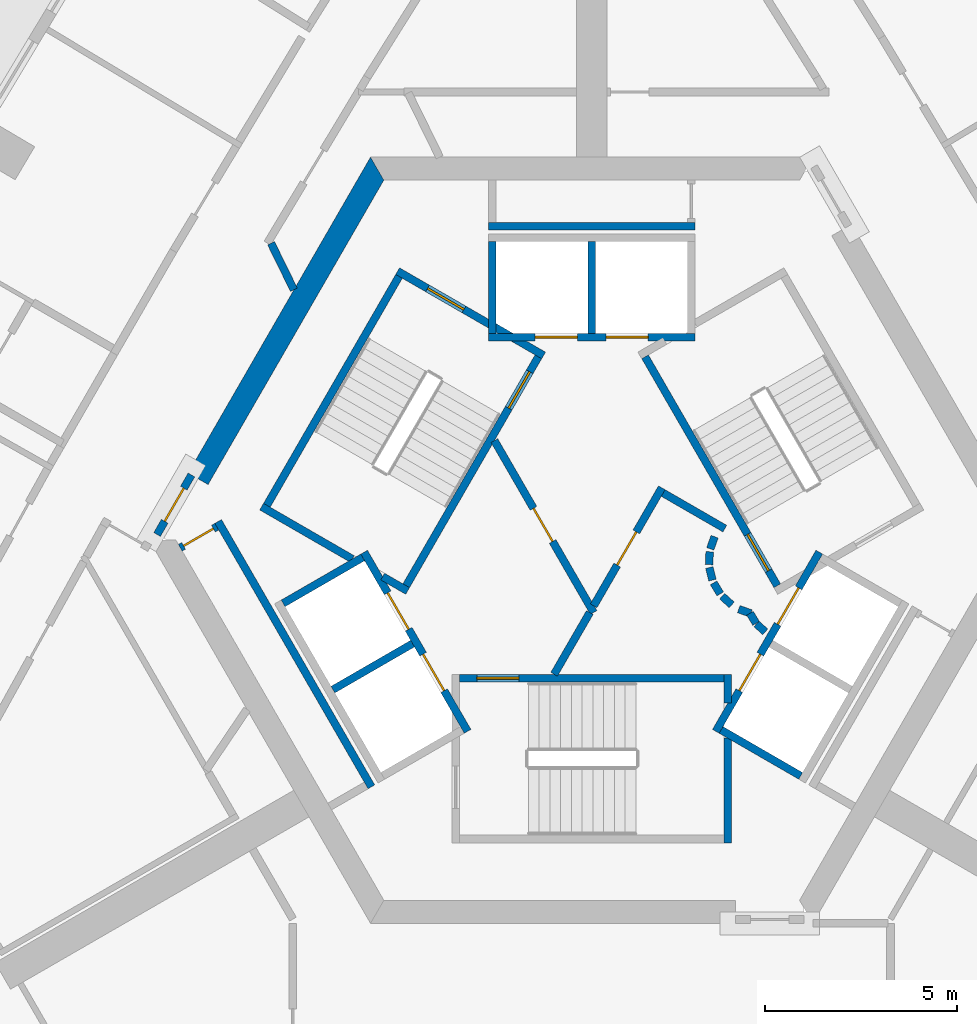
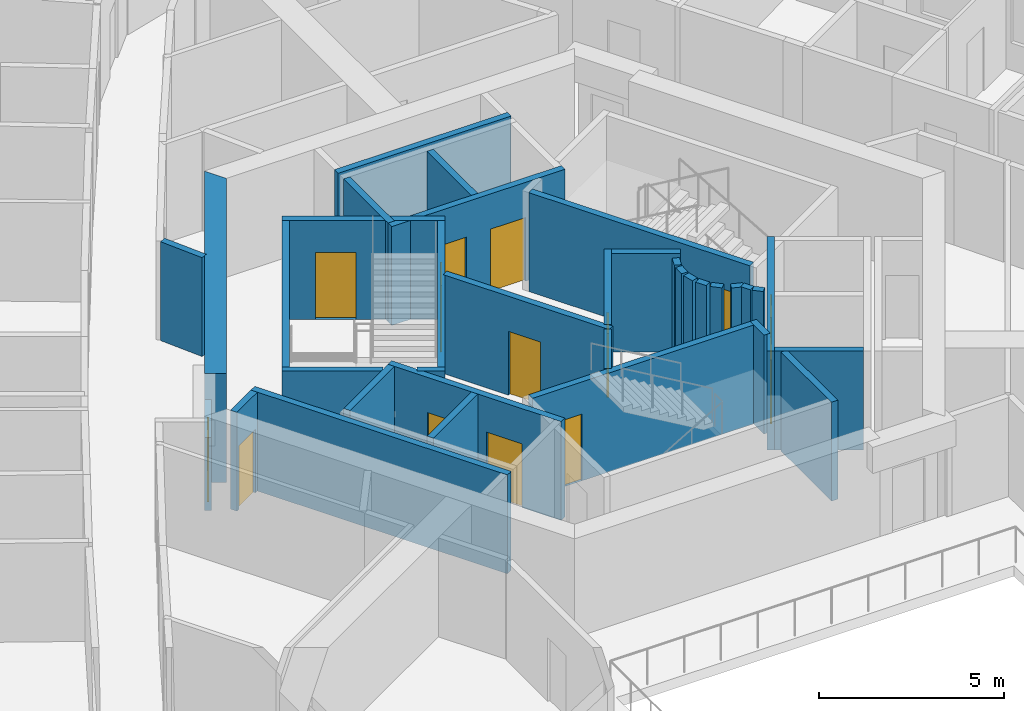
# One storey, part 5 of 13: 35 walls, 14 doors, 14 openings.
"""IFC4 building model written with IfcOpenShell, lengths in metres."""

from ifc_helpers import new_model, si_unit, direction, frame, frame_2d, origin, place, context, subcontext, project, spatial, polyline, rectangle, outline, extrude, material, layer, layer_set, type_object, element, fill, save


model = new_model("IFC4")

# Units and contexts
model_context = context("Model", 3, precision=1e-05, world=origin(), true_north=direction((0.0, 1.0)))
body_context = subcontext(model_context, "Body", "Model", "MODEL_VIEW")
ifc_project = project(units=[si_unit("LENGTHUNIT", "METRE"), si_unit("AREAUNIT", "SQUARE_METRE"), si_unit("VOLUMEUNIT", "CUBIC_METRE"), si_unit("PLANEANGLEUNIT", "RADIAN"), si_unit("MASSUNIT", "GRAM", prefix="KILO")], contexts=[model_context])

# Site, building, storey
site_placement = place(None, origin())
site = spatial("IfcSite", under=ifc_project, at=site_placement, CompositionType="ELEMENT")
building_placement = place(site_placement, origin())
building = spatial("IfcBuilding", under=site, at=building_placement, Name="Entoto Arch Interchange Tower", CompositionType="ELEMENT")
storey_placement = place(building_placement, frame((0.0, 0.0, 266.60009765625)))
storey = spatial("IfcBuildingStorey", under=building, at=storey_placement, Name="L61", CompositionType="ELEMENT", Elevation=266.60009765625)

# Wall, opening, door
ifc_material_1 = material(Name="Reinforced concrete C40/50", Category="concrete")
ifc_layer_1 = layer(ifc_material_1, 0.199951171875)
ifc_layer_set_1 = layer_set([ifc_layer_1], Name="Reinforced concrete C40/50")
wall_type_1 = type_object("IfcWallType", Name="CORE GAP INFILL WALL", PredefinedType="PARTITIONING", material=ifc_layer_set_1)
wall_1_placement = place(storey_placement, frame((-10.448974609375, 4.202880859375, 0.0), z_axis=(0.0, 0.0, 1.0), x_axis=(-0.499914839587, -0.866074565589, 0.0)))
wall_1 = element("IfcWall", 1, at=wall_1_placement, inside=storey, type_object=wall_type_1, Name="wall:L61:gap3", PredefinedType="PARTITIONING", context=body_context, shape_type="SweptSolid", body=[
    extrude(rectangle(XDim=1.794189453125, YDim=0.199951171875, at=frame_2d((0.89697265625, 0.0))), origin(), (0.0, 0.0, 1.0), 2.39990234375),
])
opening_1_placement = place(wall_1_placement, frame((0.39697265625, 0.0, 0.0)))
opening_1 = element("IfcOpeningElement", 2, at=opening_1_placement, cuts=wall_1, Name="Opening L61-D93", PredefinedType="OPENING", context=body_context, shape_type="SweptSolid", body=[
    extrude(rectangle(XDim=1.0, YDim=2.10009765625, at=frame_2d((0.5, 1.050048828125))), frame((0.0, 0.10986328125, 0.0), z_axis=(0.0, -1.0, 0.0), x_axis=(1.0, 0.0, 0.0)), (0.0, 0.0, 1.0), 0.219970703125),
])
ifc_material_2 = material(Name="Fire-rated Steel S235 door and frame", Category="steel")
door_type_1 = type_object("IfcDoorType", Name="DOOR FD-10 1000x2100", OperationType="SINGLE_SWING_LEFT", PredefinedType="DOOR", material=ifc_material_2)
door_1_placement = place(opening_1_placement, origin())
door_1 = element("IfcDoor", 3, at=door_1_placement, inside=storey, type_object=door_type_1, Name="door:L61:gap3", OperationType="SINGLE_SWING_LEFT", OverallHeight=2.10009765625, OverallWidth=1.0, PredefinedType="DOOR", context=body_context, shape_type="SweptSolid", body=[
    extrude(rectangle(XDim=1.0, YDim=2.10009765625, at=frame_2d((0.5, 1.050048828125))), frame((0.0, 0.02490234375, 0.0), z_axis=(0.0, -1.0, 0.0), x_axis=(1.0, 0.0, 0.0)), (0.0, 0.0, 1.0), 0.050048828125),
])
fill(opening_1, door_1)

# Wall
ifc_material_3 = material(Name="Concrete C40/50", Category="concrete")
ifc_layer_2 = layer(ifc_material_3, 0.60009765625)
ifc_layer_set_2 = layer_set([ifc_layer_2], Name="Concrete C40/50")
wall_type_2 = type_object("IfcWallType", Name="Core wall 600 C40/50", PredefinedType="SHEAR", material=ifc_layer_set_2)
wall_2_placement = place(storey_placement, frame((0.0, 0.0, -0.340087890625)))
element("IfcWall", 4, at=wall_2_placement, inside=storey, type_object=wall_type_2, Name="Core wall NW L61", PredefinedType="SHEAR", context=body_context, shape_type="SweptSolid", body=[
    extrude(outline(polyline([(-10.534912109375, 4.2529296875), (-10.014892578125, 3.952880859375), (-5.427001953125, 11.89990234375), (-5.77392578125, 12.5), (-10.534912109375, 4.2529296875)])), origin(), (0.0, 0.0, 1.0), 3.60009765625),
])

# Wall, openings, doors
ifc_layer_3 = layer(ifc_material_3, 0.199951171875)
ifc_layer_set_3 = layer_set([ifc_layer_3], Name="Concrete C40/50")
wall_type_3 = type_object("IfcWallType", Name="LIFT SHAFT WALL 200", PredefinedType="STANDARD", material=ifc_layer_set_3)
wall_3_placement = place(storey_placement, frame((2.699951171875, 7.800048828125, 0.0), z_axis=(0.0, 0.0, 1.0), x_axis=(-1.0, 0.0, 0.0)))
wall_3 = element("IfcWall", 5, at=wall_3_placement, inside=storey, type_object=wall_type_3, Name="Shaft wall N1 front", PredefinedType="STANDARD", context=body_context, shape_type="SweptSolid", body=[
    extrude(rectangle(XDim=5.39990234375, YDim=0.199951171875, at=frame_2d((2.699951171875, 0.0))), origin(), (0.0, 0.0, 1.0), 3.260009765625),
])
opening_2_placement = place(wall_3_placement, frame((1.22509765625, 0.0, 0.0)))
opening_2 = element("IfcOpeningElement", 6, at=opening_2_placement, cuts=wall_3, Name="Opening LD-HR1-L61", PredefinedType="OPENING", context=body_context, shape_type="SweptSolid", body=[
    extrude(rectangle(XDim=1.10009765625, YDim=2.10009765625, at=frame_2d((0.550048828125, 1.050048828125))), frame((0.0, 0.10986328125, 0.0), z_axis=(0.0, -1.0, 0.0), x_axis=(1.0, 0.0, 0.0)), (0.0, 0.0, 1.0), 0.219970703125),
])
opening_3_placement = place(wall_3_placement, frame((3.074951171875, 0.0, 0.0)))
opening_3 = element("IfcOpeningElement", 7, at=opening_3_placement, cuts=wall_3, Name="Opening LD-HR2-L61", PredefinedType="OPENING", context=body_context, shape_type="SweptSolid", body=[
    extrude(rectangle(XDim=1.10009765625, YDim=2.10009765625, at=frame_2d((0.550048828125, 1.050048828125))), frame((0.0, 0.10986328125, 0.0), z_axis=(0.0, -1.0, 0.0), x_axis=(1.0, 0.0, 0.0)), (0.0, 0.0, 1.0), 0.219970703125),
])
ifc_material_4 = material(Name="Stainless steel 1.4301 panels", Category="steel")
door_type_2 = type_object("IfcDoorType", Name="LIFT LANDING DOOR LD1 1100x2100", OperationType="SLIDING_TO_LEFT", PredefinedType="DOOR", material=ifc_material_4)
door_2_placement = place(opening_2_placement, origin())
door_2 = element("IfcDoor", 8, at=door_2_placement, inside=storey, type_object=door_type_2, Name="Lift landing door HR1 L61", OperationType="SLIDING_TO_LEFT", OverallHeight=2.10009765625, OverallWidth=1.10009765625, PredefinedType="DOOR", context=body_context, shape_type="SweptSolid", body=[
    extrude(rectangle(XDim=1.10009765625, YDim=2.10009765625, at=frame_2d((0.550048828125, 1.050048828125))), frame((0.0, 0.02490234375, 0.0), z_axis=(0.0, -1.0, 0.0), x_axis=(1.0, 0.0, 0.0)), (0.0, 0.0, 1.0), 0.050048828125),
])
fill(opening_2, door_2)
door_3_placement = place(opening_3_placement, origin())
door_3 = element("IfcDoor", 9, at=door_3_placement, inside=storey, type_object=door_type_2, Name="Lift landing door HR2 L61", OperationType="SLIDING_TO_LEFT", OverallHeight=2.10009765625, OverallWidth=1.10009765625, PredefinedType="DOOR", context=body_context, shape_type="SweptSolid", body=[
    extrude(rectangle(XDim=1.10009765625, YDim=2.10009765625, at=frame_2d((0.550048828125, 1.050048828125))), frame((0.0, 0.02490234375, 0.0), z_axis=(0.0, -1.0, 0.0), x_axis=(1.0, 0.0, 0.0)), (0.0, 0.0, 1.0), 0.050048828125),
])
fill(opening_3, door_3)

# Walls
for number, where, z_axis, x_axis, name in (
    (10, (0.0, 7.89990234375, 0.0), (0.0, 0.0, 1.0), (0.0, 1.0, 0.0), "Shaft wall N1 cross 2"),
    (11, (-2.60009765625, 7.89990234375, 0.0), (0.0, 0.0, 1.0), (0.0, 1.0, 0.0), "Shaft wall N1 cross 3"),
):
    element("IfcWall", number, at=place(storey_placement, frame(where, z_axis=z_axis, x_axis=x_axis)), inside=storey, type_object=wall_type_3, Name=name, PredefinedType="STANDARD", context=body_context, shape_type="SweptSolid", body=[
        extrude(rectangle(XDim=2.400146484375, YDim=0.199951171875, at=frame_2d((1.2001953125, 0.0))), origin(), (0.0, 0.0, 1.0), 3.260009765625),
    ])

# Wall, openings, doors
wall_4_placement = place(storey_placement, frame((-5.93994140625, 2.18798828125, 0.0), z_axis=(0.0, 0.0, 1.0), x_axis=(0.500034260056, -0.866005622828, 0.0)))
wall_4 = element("IfcWall", 12, at=wall_4_placement, inside=storey, type_object=wall_type_3, Name="Shaft wall SW1 front", PredefinedType="STANDARD", context=body_context, shape_type="SweptSolid", body=[
    extrude(rectangle(XDim=5.3994140625, YDim=0.199951171875, at=frame_2d((2.69970703125, 0.0))), origin(), (0.0, 0.0, 1.0), 3.260009765625),
])
opening_4_placement = place(wall_4_placement, frame((3.074951171875, 0.0, 0.0)))
opening_4 = element("IfcOpeningElement", 13, at=opening_4_placement, cuts=wall_4, Name="Opening LD-HR4-L61", PredefinedType="OPENING", context=body_context, shape_type="SweptSolid", body=[
    extrude(rectangle(XDim=1.10009765625, YDim=2.10009765625, at=frame_2d((0.550048828125, 1.050048828125))), frame((0.0, 0.10986328125, 0.0), z_axis=(0.0, -1.0, 0.0), x_axis=(1.0, 0.0, 0.0)), (0.0, 0.0, 1.0), 0.219970703125),
])
opening_5_placement = place(wall_4_placement, frame((1.22509765625, 0.0, 0.0)))
opening_5 = element("IfcOpeningElement", 14, at=opening_5_placement, cuts=wall_4, Name="Opening LD-FF2-L61", PredefinedType="OPENING", context=body_context, shape_type="SweptSolid", body=[
    extrude(rectangle(XDim=1.10009765625, YDim=2.10009765625, at=frame_2d((0.550048828125, 1.050048828125))), frame((0.0, 0.10986328125, 0.0), z_axis=(0.0, -1.0, 0.0), x_axis=(1.0, 0.0, 0.0)), (0.0, 0.0, 1.0), 0.219970703125),
])
door_4_placement = place(opening_4_placement, origin())
door_4 = element("IfcDoor", 15, at=door_4_placement, inside=storey, type_object=door_type_2, Name="Lift landing door HR4 L61", OperationType="SLIDING_TO_LEFT", OverallHeight=2.10009765625, OverallWidth=1.10009765625, PredefinedType="DOOR", context=body_context, shape_type="SweptSolid", body=[
    extrude(rectangle(XDim=1.10009765625, YDim=2.10009765625, at=frame_2d((0.550048828125, 1.050048828125))), frame((0.0, 0.02490234375, 0.0), z_axis=(0.0, -1.0, 0.0), x_axis=(1.0, 0.0, 0.0)), (0.0, 0.0, 1.0), 0.050048828125),
])
fill(opening_4, door_4)
door_5_placement = place(opening_5_placement, origin())
door_5 = element("IfcDoor", 16, at=door_5_placement, inside=storey, type_object=door_type_2, Name="Lift landing door FF2 L61", OperationType="SLIDING_TO_LEFT", OverallHeight=2.10009765625, OverallWidth=1.10009765625, PredefinedType="DOOR", context=body_context, shape_type="SweptSolid", body=[
    extrude(rectangle(XDim=1.10009765625, YDim=2.10009765625, at=frame_2d((0.550048828125, 1.050048828125))), frame((0.0, 0.02490234375, 0.0), z_axis=(0.0, -1.0, 0.0), x_axis=(1.0, 0.0, 0.0)), (0.0, 0.0, 1.0), 0.050048828125),
])
fill(opening_5, door_5)

# Walls
for number, where, z_axis, x_axis, name in (
    (17, (-5.97705078125, 2.052001953125, 0.0), (0.0, 0.0, 1.0), (-0.865973769406, -0.500089422704, 0.0), "Shaft wall SW1 cross 1"),
    (18, (-4.677001953125, -0.199951171875, 0.0), (0.0, 0.0, 1.0), (-0.865973769406, -0.500089422704, 0.0), "Shaft wall SW1 cross 2"),
):
    element("IfcWall", number, at=place(storey_placement, frame(where, z_axis=z_axis, x_axis=x_axis)), inside=storey, type_object=wall_type_3, Name=name, PredefinedType="STANDARD", context=body_context, shape_type="SweptSolid", body=[
        extrude(rectangle(XDim=2.3994140625, YDim=0.199951171875, at=frame_2d((1.19970703125, 0.0))), origin(), (0.0, 0.0, 1.0), 3.260009765625),
    ])

# Wall, openings, doors
wall_5_placement = place(storey_placement, frame((3.239990234375, -2.488037109375, 0.0), z_axis=(0.0, 0.0, 1.0), x_axis=(0.500034260056, 0.866005622828, 0.0)))
wall_5 = element("IfcWall", 19, at=wall_5_placement, inside=storey, type_object=wall_type_3, Name="Shaft wall SE1 front", PredefinedType="STANDARD", context=body_context, shape_type="SweptSolid", body=[
    extrude(rectangle(XDim=5.3994140625, YDim=0.199951171875, at=frame_2d((2.69970703125, 0.0))), origin(), (0.0, 0.0, 1.0), 3.260009765625),
])
opening_6_placement = place(wall_5_placement, frame((3.22509765625, 0.0, 0.0)))
opening_6 = element("IfcOpeningElement", 20, at=opening_6_placement, cuts=wall_5, Name="Opening LD-HR3-L61", PredefinedType="OPENING", context=body_context, shape_type="SweptSolid", body=[
    extrude(rectangle(XDim=1.10009765625, YDim=2.10009765625, at=frame_2d((0.550048828125, 1.050048828125))), frame((0.0, 0.10986328125, 0.0), z_axis=(0.0, -1.0, 0.0), x_axis=(1.0, 0.0, 0.0)), (0.0, 0.0, 1.0), 0.219970703125),
])
opening_7_placement = place(wall_5_placement, frame((1.22509765625, 0.0, 0.0)))
opening_7 = element("IfcOpeningElement", 21, at=opening_7_placement, cuts=wall_5, Name="Opening LD-FF1-L61", PredefinedType="OPENING", context=body_context, shape_type="SweptSolid", body=[
    extrude(rectangle(XDim=1.10009765625, YDim=2.10009765625, at=frame_2d((0.550048828125, 1.050048828125))), frame((0.0, 0.10986328125, 0.0), z_axis=(0.0, -1.0, 0.0), x_axis=(1.0, 0.0, 0.0)), (0.0, 0.0, 1.0), 0.219970703125),
])
door_6_placement = place(opening_6_placement, origin())
door_6 = element("IfcDoor", 22, at=door_6_placement, inside=storey, type_object=door_type_2, Name="Lift landing door HR3 L61", OperationType="SLIDING_TO_LEFT", OverallHeight=2.10009765625, OverallWidth=1.10009765625, PredefinedType="DOOR", context=body_context, shape_type="SweptSolid", body=[
    extrude(rectangle(XDim=1.10009765625, YDim=2.10009765625, at=frame_2d((0.550048828125, 1.050048828125))), frame((0.0, 0.02490234375, 0.0), z_axis=(0.0, -1.0, 0.0), x_axis=(1.0, 0.0, 0.0)), (0.0, 0.0, 1.0), 0.050048828125),
])
fill(opening_6, door_6)
door_7_placement = place(opening_7_placement, origin())
door_7 = element("IfcDoor", 23, at=door_7_placement, inside=storey, type_object=door_type_2, Name="Lift landing door FF1 L61", OperationType="SLIDING_TO_LEFT", OverallHeight=2.10009765625, OverallWidth=1.10009765625, PredefinedType="DOOR", context=body_context, shape_type="SweptSolid", body=[
    extrude(rectangle(XDim=1.10009765625, YDim=2.10009765625, at=frame_2d((0.550048828125, 1.050048828125))), frame((0.0, 0.02490234375, 0.0), z_axis=(0.0, -1.0, 0.0), x_axis=(1.0, 0.0, 0.0)), (0.0, 0.0, 1.0), 0.050048828125),
])
fill(opening_7, door_7)

# Walls
wall_6_placement = place(storey_placement, frame((3.376953125, -2.451904296875, 0.0), z_axis=(0.0, 0.0, 1.0), x_axis=(0.865955154139, -0.50012165622, 0.0)))
element("IfcWall", 24, at=wall_6_placement, inside=storey, type_object=wall_type_3, Name="Shaft wall SE1 cross 1", PredefinedType="STANDARD", context=body_context, shape_type="SweptSolid", body=[
    extrude(rectangle(XDim=2.39990234375, YDim=0.199951171875, at=frame_2d((1.199951171875, 0.0))), origin(), (0.0, 0.0, 1.0), 3.260009765625),
])
ifc_material_5 = material(Name="Gypsum board partition on steel studs", Category="steel")
ifc_layer_4 = layer(ifc_material_5, 0.199951171875)
ifc_layer_set_4 = layer_set([ifc_layer_4], Name="Gypsum board partition on steel studs")
wall_type_4 = type_object("IfcWallType", Name="PARTITION 200", PredefinedType="PARTITIONING", material=ifc_layer_set_4)
wall_7_placement = place(storey_placement, frame((-8.3701171875, 10.251953125, 0.0), z_axis=(0.0, 0.0, 1.0), x_axis=(0.440562172885, -0.897722101668, 0.0)))
element("IfcWall", 25, at=wall_7_placement, inside=storey, type_object=wall_type_4, Name="wall:L61:p005", PredefinedType="PARTITIONING", context=body_context, shape_type="SweptSolid", body=[
    extrude(rectangle(XDim=1.353271484375, YDim=0.199951171875, at=frame_2d((0.6767578125, 0.0))), origin(), (0.0, 0.0, 1.0), 3.260009765625),
])
wall_8_placement = place(storey_placement, frame((2.699951171875, 10.699951171875, 0.0), z_axis=(0.0, 0.0, 1.0), x_axis=(-1.0, 0.0, 0.0)))
element("IfcWall", 26, at=wall_8_placement, inside=storey, type_object=wall_type_4, Name="wall:L61:p074", PredefinedType="PARTITIONING", context=body_context, shape_type="SweptSolid", body=[
    extrude(rectangle(XDim=5.39990234375, YDim=0.199951171875, at=frame_2d((2.699951171875, 0.0))), origin(), (0.0, 0.0, 1.0), 3.260009765625),
])

# Wall, opening, door
wall_9_placement = place(storey_placement, frame((-10.740966796875, 2.302978515625, 0.0), z_axis=(0.0, 0.0, 1.0), x_axis=(0.866063652425, 0.499933745558, 0.0)))
wall_9 = element("IfcWall", 27, at=wall_9_placement, inside=storey, type_object=wall_type_4, Name="wall:L61:p079", PredefinedType="PARTITIONING", context=body_context, shape_type="SweptSolid", body=[
    extrude(rectangle(XDim=1.100341796875, YDim=0.199951171875, at=frame_2d((0.55029296875, 0.0))), origin(), (0.0, 0.0, 1.0), 3.260009765625),
])
opening_8_placement = place(wall_9_placement, frame((0.10009765625, 0.0, 0.0)))
opening_8 = element("IfcOpeningElement", 28, at=opening_8_placement, cuts=wall_9, Name="Opening L61-D39", PredefinedType="OPENING", context=body_context, shape_type="SweptSolid", body=[
    extrude(rectangle(XDim=0.89990234375, YDim=2.10009765625, at=frame_2d((0.449951171875, 1.050048828125))), frame((0.0, 0.10986328125, 0.0), z_axis=(0.0, -1.0, 0.0), x_axis=(1.0, 0.0, 0.0)), (0.0, 0.0, 1.0), 0.219970703125),
])
ifc_material_6 = material(Name="Timber door leaf in Steel S235 frame", Category="steel")
door_type_3 = type_object("IfcDoorType", Name="DOOR DS-09 900x2100", OperationType="SINGLE_SWING_LEFT", PredefinedType="DOOR", material=ifc_material_6)
door_8_placement = place(opening_8_placement, origin())
door_8 = element("IfcDoor", 29, at=door_8_placement, inside=storey, type_object=door_type_3, Name="door:L61:39", OperationType="SINGLE_SWING_RIGHT", OverallHeight=2.10009765625, OverallWidth=0.89990234375, PredefinedType="DOOR", context=body_context, shape_type="SweptSolid", body=[
    extrude(rectangle(XDim=0.89990234375, YDim=2.10009765625, at=frame_2d((0.449951171875, 1.050048828125))), frame((0.0, 0.02490234375, 0.0), z_axis=(0.0, -1.0, 0.0), x_axis=(1.0, 0.0, 0.0)), (0.0, 0.0, 1.0), 0.050048828125),
])
fill(opening_8, door_8)

# Walls
wall_10_placement = place(storey_placement, frame((-9.7509765625, 2.989990234375, 0.0), z_axis=(0.0, 0.0, 1.0), x_axis=(0.500012163284, -0.866018381195, 0.0)))
element("IfcWall", 30, at=wall_10_placement, inside=storey, type_object=wall_type_4, Name="wall:L61:p080", PredefinedType="PARTITIONING", context=body_context, shape_type="SweptSolid", body=[
    extrude(rectangle(XDim=7.999755859375, YDim=0.199951171875, at=frame_2d((4.0, 0.0))), origin(), (0.0, 0.0, 1.0), 3.260009765625),
])
wall_11_placement = place(storey_placement, frame((-0.98193359375, -1.0, 0.0), z_axis=(0.0, 0.0, 1.0), x_axis=(0.50024047865, 0.865886518847, 0.0)))
element("IfcWall", 31, at=wall_11_placement, inside=storey, type_object=wall_type_4, Name="wall:L61:p086", PredefinedType="PARTITIONING", context=body_context, shape_type="SweptSolid", body=[
    extrude(rectangle(XDim=1.86279296875, YDim=0.199951171875, at=frame_2d((0.931396484375, 0.0))), origin(), (0.0, 0.0, 1.0), 3.260009765625),
])

# Wall, opening, door
wall_12_placement = place(storey_placement, frame((0.050048828125, 0.787109375, 0.0), z_axis=(0.0, 0.0, 1.0), x_axis=(0.499954076797, 0.866051915934, 0.0)))
wall_12 = element("IfcWall", 32, at=wall_12_placement, inside=storey, type_object=wall_type_4, Name="wall:L61:p087", PredefinedType="PARTITIONING", context=body_context, shape_type="SweptSolid", body=[
    extrude(rectangle(XDim=3.558349609375, YDim=0.199951171875, at=frame_2d((1.779296875, 0.0))), origin(), (0.0, 0.0, 1.0), 3.260009765625),
])
opening_9_placement = place(wall_12_placement, frame((1.22900390625, 0.0, 0.0)))
opening_9 = element("IfcOpeningElement", 33, at=opening_9_placement, cuts=wall_12, Name="Opening L61-D35", PredefinedType="OPENING", context=body_context, shape_type="SweptSolid", body=[
    extrude(rectangle(XDim=1.0, YDim=2.10009765625, at=frame_2d((0.5, 1.050048828125))), frame((0.0, 0.10986328125, 0.0), z_axis=(0.0, -1.0, 0.0), x_axis=(1.0, 0.0, 0.0)), (0.0, 0.0, 1.0), 0.219970703125),
])
door_9_placement = place(opening_9_placement, origin())
door_9 = element("IfcDoor", 34, at=door_9_placement, inside=storey, type_object=door_type_1, Name="door:L61:35", OperationType="SINGLE_SWING_RIGHT", OverallHeight=2.10009765625, OverallWidth=1.0, PredefinedType="DOOR", context=body_context, shape_type="SweptSolid", body=[
    extrude(rectangle(XDim=1.0, YDim=2.10009765625, at=frame_2d((0.5, 1.050048828125))), frame((0.0, 0.02490234375, 0.0), z_axis=(0.0, -1.0, 0.0), x_axis=(1.0, 0.0, 0.0)), (0.0, 0.0, 1.0), 0.050048828125),
])
fill(opening_9, door_9)

# Walls
wall_13_placement = place(storey_placement, frame((1.865966796875, 3.73193359375, 0.0), z_axis=(0.0, 0.0, 1.0), x_axis=(0.866043361281, -0.499968895414, 0.0)))
element("IfcWall", 35, at=wall_13_placement, inside=storey, type_object=wall_type_4, Name="wall:L61:p088", PredefinedType="PARTITIONING", context=body_context, shape_type="SweptSolid", body=[
    extrude(rectangle(XDim=1.85791015625, YDim=0.199951171875, at=frame_2d((0.928955078125, 0.0))), origin(), (0.0, 0.0, 1.0), 3.260009765625),
])
wall_14_placement = place(storey_placement, frame((3.2080078125, 2.592041015625, 0.0), z_axis=(0.0, 0.0, 1.0), x_axis=(-0.337388820924, -0.941365382578, 0.0)))
element("IfcWall", 36, at=wall_14_placement, inside=storey, type_object=wall_type_4, Name="wall:L61:p089", PredefinedType="PARTITIONING", context=body_context, shape_type="SweptSolid", body=[
    extrude(rectangle(XDim=0.337890625, YDim=0.199951171875, at=frame_2d((0.1689453125, 0.0))), origin(), (0.0, 0.0, 1.0), 3.260009765625),
])
wall_15_placement = place(storey_placement, frame((3.0791015625, 2.198974609375, 0.0), z_axis=(0.0, 0.0, 1.0), x_axis=(-0.047771483479, -0.998858290933, 0.0)))
element("IfcWall", 37, at=wall_15_placement, inside=storey, type_object=wall_type_4, Name="wall:L61:p090", PredefinedType="PARTITIONING", context=body_context, shape_type="SweptSolid", body=[
    extrude(rectangle(XDim=0.33740234375, YDim=0.199951171875, at=frame_2d((0.168701171875, 0.0))), origin(), (0.0, 0.0, 1.0), 3.260009765625),
])
wall_16_placement = place(storey_placement, frame((3.070068359375, 1.785888671875, 0.0), z_axis=(0.0, 0.0, 1.0), x_axis=(0.242705583207, -0.970099994784, 0.0)))
element("IfcWall", 38, at=wall_16_placement, inside=storey, type_object=wall_type_4, Name="wall:L61:p091", PredefinedType="PARTITIONING", context=body_context, shape_type="SweptSolid", body=[
    extrude(rectangle(XDim=0.337890625, YDim=0.199951171875, at=frame_2d((0.1689453125, 0.0))), origin(), (0.0, 0.0, 1.0), 3.260009765625),
])
for number, where, z_axis, x_axis, name in (
    (39, (3.181884765625, 1.387939453125, 0.0), (0.0, 0.0, 1.0), (0.512474702713, -0.85870232274, 0.0), "wall:L61:p092"),
    (40, (3.404052734375, 1.0390625, 0.0), (0.0, 0.0, 1.0), (0.740267097712, -0.672312891476, 0.0), "wall:L61:p093"),
):
    element("IfcWall", number, at=place(storey_placement, frame(where, z_axis=z_axis, x_axis=x_axis)), inside=storey, type_object=wall_type_4, Name=name, PredefinedType="PARTITIONING", context=body_context, shape_type="SweptSolid", body=[
        extrude(rectangle(XDim=0.337646484375, YDim=0.199951171875, at=frame_2d((0.1689453125, 0.0))), origin(), (0.0, 0.0, 1.0), 3.260009765625),
    ])
wall_17_placement = place(storey_placement, frame((3.837890625, 0.701904296875, 0.0), z_axis=(0.0, 0.0, 1.0), x_axis=(0.941035081519, -0.338308993895, 0.0)))
element("IfcWall", 41, at=wall_17_placement, inside=storey, type_object=wall_type_4, Name="wall:L61:p094", PredefinedType="PARTITIONING", context=body_context, shape_type="SweptSolid", body=[
    extrude(rectangle(XDim=0.3369140625, YDim=0.199951171875, at=frame_2d((0.16845703125, 0.0))), origin(), (0.0, 0.0, 1.0), 3.260009765625),
])
wall_18_placement = place(storey_placement, frame((4.132080078125, 0.593017578125, 0.0), z_axis=(0.0, 0.0, 1.0), x_axis=(0.513561617048, -0.858052717201, 0.0)))
element("IfcWall", 42, at=wall_18_placement, inside=storey, type_object=wall_type_4, Name="wall:L61:p095", PredefinedType="PARTITIONING", context=body_context, shape_type="SweptSolid", body=[
    extrude(rectangle(XDim=0.3076171875, YDim=0.199951171875, at=frame_2d((0.15380859375, 0.0))), origin(), (0.0, 0.0, 1.0), 3.260009765625),
])
wall_19_placement = place(storey_placement, frame((4.301025390625, 0.31494140625, 0.0), z_axis=(0.0, 0.0, 1.0), x_axis=(0.741798017506, -0.670623367639, 0.0)))
element("IfcWall", 43, at=wall_19_placement, inside=storey, type_object=wall_type_4, Name="wall:L61:p096", PredefinedType="PARTITIONING", context=body_context, shape_type="SweptSolid", body=[
    extrude(rectangle(XDim=0.30859375, YDim=0.199951171875, at=frame_2d((0.154296875, 0.0))), origin(), (0.0, 0.0, 1.0), 3.260009765625),
])

# Wall, opening, door
wall_20_placement = place(storey_placement, frame((-2.5400390625, 5.10009765625, 0.0), z_axis=(0.0, 0.0, 1.0), x_axis=(0.499925051871, -0.866068670783, 0.0)))
wall_20 = element("IfcWall", 44, at=wall_20_placement, inside=storey, type_object=wall_type_4, Name="wall:L61:p097", PredefinedType="PARTITIONING", context=body_context, shape_type="SweptSolid", body=[
    extrude(rectangle(XDim=5.180908203125, YDim=0.199951171875, at=frame_2d((2.59033203125, 0.0))), origin(), (0.0, 0.0, 1.0), 3.260009765625),
])
opening_10_placement = place(wall_20_placement, frame((2.0400390625, 0.0, 0.0)))
opening_10 = element("IfcOpeningElement", 45, at=opening_10_placement, cuts=wall_20, Name="Opening L61-D36", PredefinedType="OPENING", context=body_context, shape_type="SweptSolid", body=[
    extrude(rectangle(XDim=1.0, YDim=2.10009765625, at=frame_2d((0.5, 1.050048828125))), frame((0.0, 0.10986328125, 0.0), z_axis=(0.0, -1.0, 0.0), x_axis=(1.0, 0.0, 0.0)), (0.0, 0.0, 1.0), 0.219970703125),
])
door_10_placement = place(opening_10_placement, origin())
door_10 = element("IfcDoor", 46, at=door_10_placement, inside=storey, type_object=door_type_1, Name="door:L61:36", OperationType="SINGLE_SWING_RIGHT", OverallHeight=2.10009765625, OverallWidth=1.0, PredefinedType="DOOR", context=body_context, shape_type="SweptSolid", body=[
    extrude(rectangle(XDim=1.0, YDim=2.10009765625, at=frame_2d((0.5, 1.050048828125))), frame((0.0, 0.02490234375, 0.0), z_axis=(0.0, -1.0, 0.0), x_axis=(1.0, 0.0, 0.0)), (0.0, 0.0, 1.0), 0.050048828125),
])
fill(opening_10, door_10)

# Walls
ifc_layer_5 = layer(ifc_material_3, 0.199951171875)
ifc_layer_set_5 = layer_set([ifc_layer_5], Name="Concrete C40/50")
wall_type_5 = type_object("IfcWallType", Name="STAIR ENCLOSURE WALL 200", PredefinedType="STANDARD", material=ifc_layer_set_5)
wall_21_placement = place(storey_placement, frame((3.550048828125, -2.6669921875, 0.0), z_axis=(0.0, 0.0, 1.0), x_axis=(0.0, -1.0, 0.0)))
element("IfcWall", 47, at=wall_21_placement, inside=storey, type_object=wall_type_5, Name="Stair wall ST-S far", PredefinedType="STANDARD", context=body_context, shape_type="SweptSolid", body=[
    extrude(rectangle(XDim=2.73291015625, YDim=0.199951171875, at=frame_2d((1.366455078125, 0.0))), origin(), (0.0, 0.0, 1.0), 3.260009765625),
])
wall_22_placement = place(storey_placement, frame((3.550048828125, -1.0, 0.0), z_axis=(0.0, 0.0, 1.0), x_axis=(0.0, -1.0, 0.0)))
element("IfcWall", 48, at=wall_22_placement, inside=storey, type_object=wall_type_5, Name="Stair wall ST-S far return", PredefinedType="STANDARD", context=body_context, shape_type="SweptSolid", body=[
    extrude(rectangle(XDim=0.7509765625, YDim=0.199951171875, at=frame_2d((0.37548828125, 0.0))), origin(), (0.0, 0.0, 1.0), 3.260009765625),
])

# Wall, opening, door
wall_23_placement = place(storey_placement, frame((-3.449951171875, -1.10009765625, 0.0), z_axis=(0.0, 0.0, 1.0), x_axis=(1.0, 0.0, 0.0)))
wall_23 = element("IfcWall", 49, at=wall_23_placement, inside=storey, type_object=wall_type_5, Name="Stair wall ST-S hall", PredefinedType="STANDARD", context=body_context, shape_type="SweptSolid", body=[
    extrude(rectangle(XDim=6.89990234375, YDim=0.199951171875, at=frame_2d((3.449951171875, 0.0))), origin(), (0.0, 0.0, 1.0), 3.260009765625),
])
opening_11_placement = place(wall_23_placement, frame((0.449951171875, 0.0, 0.0)))
opening_11 = element("IfcOpeningElement", 50, at=opening_11_placement, cuts=wall_23, Name="Opening SD-ST-S-L61", PredefinedType="OPENING", context=body_context, shape_type="SweptSolid", body=[
    extrude(rectangle(XDim=1.10009765625, YDim=2.199951171875, at=frame_2d((0.550048828125, 1.10009765625))), frame((0.0, 0.10986328125, 0.0), z_axis=(0.0, -1.0, 0.0), x_axis=(1.0, 0.0, 0.0)), (0.0, 0.0, 1.0), 0.219970703125),
])
ifc_material_7 = material(Name="Steel S235", Category="steel")
door_type_4 = type_object("IfcDoorType", Name="STAIR DOOR SD1 1100x2200", OperationType="SINGLE_SWING_LEFT", PredefinedType="DOOR", material=ifc_material_7)
door_11_placement = place(opening_11_placement, origin())
door_11 = element("IfcDoor", 51, at=door_11_placement, inside=storey, type_object=door_type_4, Name="Stair door ST-S L61", OperationType="SINGLE_SWING_LEFT", OverallHeight=2.199951171875, OverallWidth=1.10009765625, PredefinedType="DOOR", context=body_context, shape_type="SweptSolid", body=[
    extrude(rectangle(XDim=1.10009765625, YDim=2.199951171875, at=frame_2d((0.550048828125, 1.10009765625))), frame((0.0, 0.02490234375, 0.0), z_axis=(0.0, -1.0, 0.0), x_axis=(1.0, 0.0, 0.0)), (0.0, 0.0, 1.0), 0.050048828125),
])
fill(opening_11, door_11)

wall_24_placement = place(storey_placement, frame((4.843017578125, 1.31201171875, 0.0), z_axis=(0.0, 0.0, 1.0), x_axis=(-0.499963383562, 0.866046543262, 0.0)))
wall_24 = element("IfcWall", 52, at=wall_24_placement, inside=storey, type_object=wall_type_5, Name="Stair wall ST-NE hall", PredefinedType="STANDARD", context=body_context, shape_type="SweptSolid", body=[
    extrude(rectangle(XDim=6.900390625, YDim=0.199951171875, at=frame_2d((3.4501953125, 0.0))), origin(), (0.0, 0.0, 1.0), 3.260009765625),
])
opening_12_placement = place(wall_24_placement, frame((0.449951171875, 0.0, 0.0)))
opening_12 = element("IfcOpeningElement", 53, at=opening_12_placement, cuts=wall_24, Name="Opening SD-ST-NE-L61", PredefinedType="OPENING", context=body_context, shape_type="SweptSolid", body=[
    extrude(rectangle(XDim=1.10009765625, YDim=2.199951171875, at=frame_2d((0.550048828125, 1.10009765625))), frame((0.0, 0.10986328125, 0.0), z_axis=(0.0, -1.0, 0.0), x_axis=(1.0, 0.0, 0.0)), (0.0, 0.0, 1.0), 0.219970703125),
])
door_12_placement = place(opening_12_placement, origin())
door_12 = element("IfcDoor", 54, at=door_12_placement, inside=storey, type_object=door_type_4, Name="Stair door ST-NE L61", OperationType="SINGLE_SWING_LEFT", OverallHeight=2.199951171875, OverallWidth=1.10009765625, PredefinedType="DOOR", context=body_context, shape_type="SweptSolid", body=[
    extrude(rectangle(XDim=1.10009765625, YDim=2.199951171875, at=frame_2d((0.550048828125, 1.10009765625))), frame((0.0, 0.02490234375, 0.0), z_axis=(0.0, -1.0, 0.0), x_axis=(1.0, 0.0, 0.0)), (0.0, 0.0, 1.0), 0.050048828125),
])
fill(opening_12, door_12)

wall_25_placement = place(storey_placement, frame((-1.256103515625, 7.323974609375, 0.0), z_axis=(0.0, 0.0, 1.0), x_axis=(-0.866046073146, 0.499964197906, 0.0)))
wall_25 = element("IfcWall", 55, at=wall_25_placement, inside=storey, type_object=wall_type_5, Name="Stair wall ST-NW near", PredefinedType="STANDARD", context=body_context, shape_type="SweptSolid", body=[
    extrude(rectangle(XDim=4.400146484375, YDim=0.199951171875, at=frame_2d((2.2001953125, 0.0))), origin(), (0.0, 0.0, 1.0), 3.260009765625),
])
opening_13_placement = place(wall_25_placement, frame((2.39990234375, 0.0, 0.0)))
opening_13 = element("IfcOpeningElement", 56, at=opening_13_placement, cuts=wall_25, Name="Opening SD-ST-NW-L61-E", PredefinedType="OPENING", context=body_context, shape_type="SweptSolid", body=[
    extrude(rectangle(XDim=1.10009765625, YDim=2.199951171875, at=frame_2d((0.550048828125, 1.10009765625))), frame((0.0, 0.10986328125, 0.0), z_axis=(0.0, -1.0, 0.0), x_axis=(1.0, 0.0, 0.0)), (0.0, 0.0, 1.0), 0.219970703125),
])
door_13_placement = place(opening_13_placement, origin())
door_13 = element("IfcDoor", 57, at=door_13_placement, inside=storey, type_object=door_type_4, Name="Stair door ST-NW L61 end", OperationType="SINGLE_SWING_LEFT", OverallHeight=2.199951171875, OverallWidth=1.10009765625, PredefinedType="DOOR", context=body_context, shape_type="SweptSolid", body=[
    extrude(rectangle(XDim=1.10009765625, YDim=2.199951171875, at=frame_2d((0.550048828125, 1.10009765625))), frame((0.0, 0.02490234375, 0.0), z_axis=(0.0, -1.0, 0.0), x_axis=(1.0, 0.0, 0.0)), (0.0, 0.0, 1.0), 0.050048828125),
])
fill(opening_13, door_13)

# Walls
wall_26_placement = place(storey_placement, frame((-6.25, 2.010009765625, 0.0), z_axis=(0.0, 0.0, 1.0), x_axis=(-0.86611865017, 0.499838457731, 0.0)))
element("IfcWall", 58, at=wall_26_placement, inside=storey, type_object=wall_type_5, Name="Stair wall ST-NW far", PredefinedType="STANDARD", context=body_context, shape_type="SweptSolid", body=[
    extrude(rectangle(XDim=2.73291015625, YDim=0.199951171875, at=frame_2d((1.366455078125, 0.0))), origin(), (0.0, 0.0, 1.0), 3.260009765625),
])
wall_27_placement = place(storey_placement, frame((-4.805908203125, 1.176025390625, 0.0), z_axis=(0.0, 0.0, 1.0), x_axis=(-0.866558586415, 0.499075361355, 0.0)))
element("IfcWall", 59, at=wall_27_placement, inside=storey, type_object=wall_type_5, Name="Stair wall ST-NW far return", PredefinedType="STANDARD", context=body_context, shape_type="SweptSolid", body=[
    extrude(rectangle(XDim=0.75146484375, YDim=0.199951171875, at=frame_2d((0.375732421875, 0.0))), origin(), (0.0, 0.0, 1.0), 3.260009765625),
])

# Wall, opening, door
wall_28_placement = place(storey_placement, frame((-1.39306640625, 7.2880859375, 0.0), z_axis=(0.0, 0.0, 1.0), x_axis=(-0.499963383562, -0.866046543262, 0.0)))
wall_28 = element("IfcWall", 60, at=wall_28_placement, inside=storey, type_object=wall_type_5, Name="Stair wall ST-NW hall", PredefinedType="STANDARD", context=body_context, shape_type="SweptSolid", body=[
    extrude(rectangle(XDim=6.900390625, YDim=0.199951171875, at=frame_2d((3.4501953125, 0.0))), origin(), (0.0, 0.0, 1.0), 3.260009765625),
])
opening_14_placement = place(wall_28_placement, frame((0.449951171875, 0.0, 0.0)))
opening_14 = element("IfcOpeningElement", 61, at=opening_14_placement, cuts=wall_28, Name="Opening SD-ST-NW-L61", PredefinedType="OPENING", context=body_context, shape_type="SweptSolid", body=[
    extrude(rectangle(XDim=1.10009765625, YDim=2.199951171875, at=frame_2d((0.550048828125, 1.10009765625))), frame((0.0, 0.10986328125, 0.0), z_axis=(0.0, -1.0, 0.0), x_axis=(1.0, 0.0, 0.0)), (0.0, 0.0, 1.0), 0.219970703125),
])
door_14_placement = place(opening_14_placement, origin())
door_14 = element("IfcDoor", 62, at=door_14_placement, inside=storey, type_object=door_type_4, Name="Stair door ST-NW L61", OperationType="SINGLE_SWING_LEFT", OverallHeight=2.199951171875, OverallWidth=1.10009765625, PredefinedType="DOOR", context=body_context, shape_type="SweptSolid", body=[
    extrude(rectangle(XDim=1.10009765625, YDim=2.199951171875, at=frame_2d((0.550048828125, 1.10009765625))), frame((0.0, 0.02490234375, 0.0), z_axis=(0.0, -1.0, 0.0), x_axis=(1.0, 0.0, 0.0)), (0.0, 0.0, 1.0), 0.050048828125),
])
fill(opening_14, door_14)

# Wall
wall_29_placement = place(storey_placement, frame((-5.030029296875, 9.387939453125, 0.0), z_axis=(0.0, 0.0, 1.0), x_axis=(-0.499978703459, -0.866037698999, 0.0)))
element("IfcWall", 63, at=wall_29_placement, inside=storey, type_object=wall_type_5, Name="Stair wall ST-NW back", PredefinedType="STANDARD", context=body_context, shape_type="SweptSolid", body=[
    extrude(rectangle(XDim=6.900146484375, YDim=0.199951171875, at=frame_2d((3.4501953125, 0.0))), origin(), (0.0, 0.0, 1.0), 3.260009765625),
])

save(model, "model.ifc")
